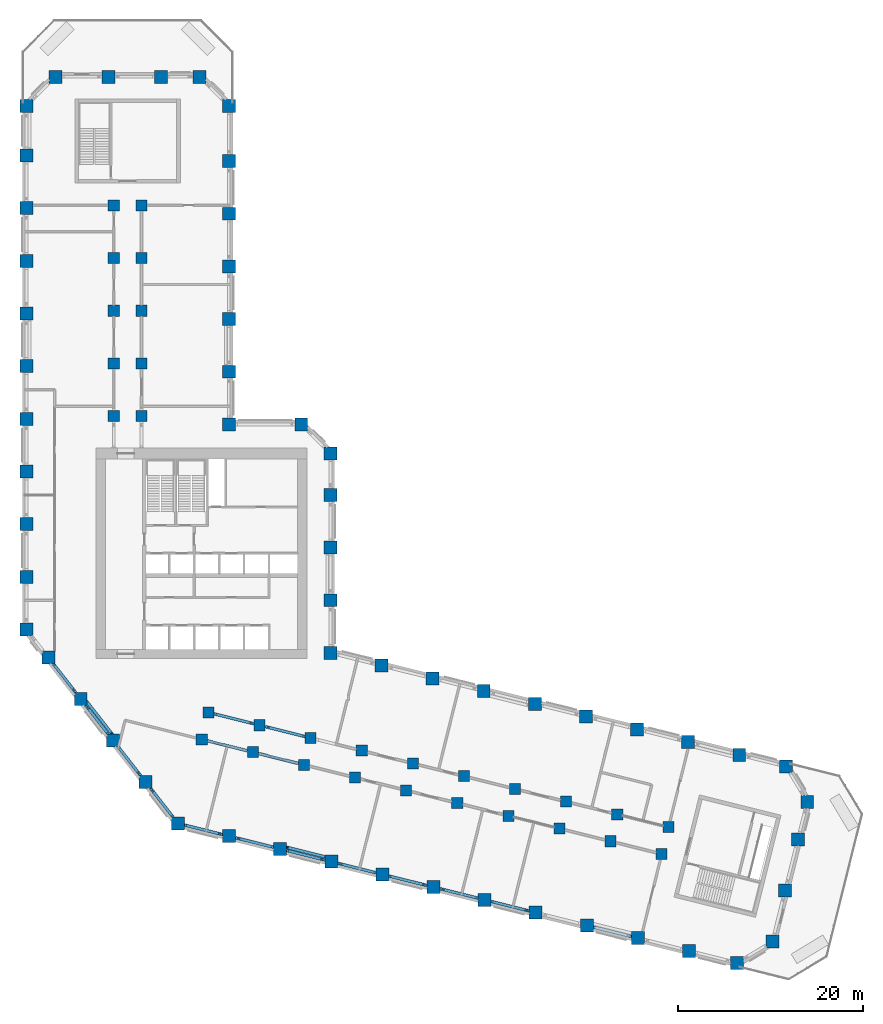
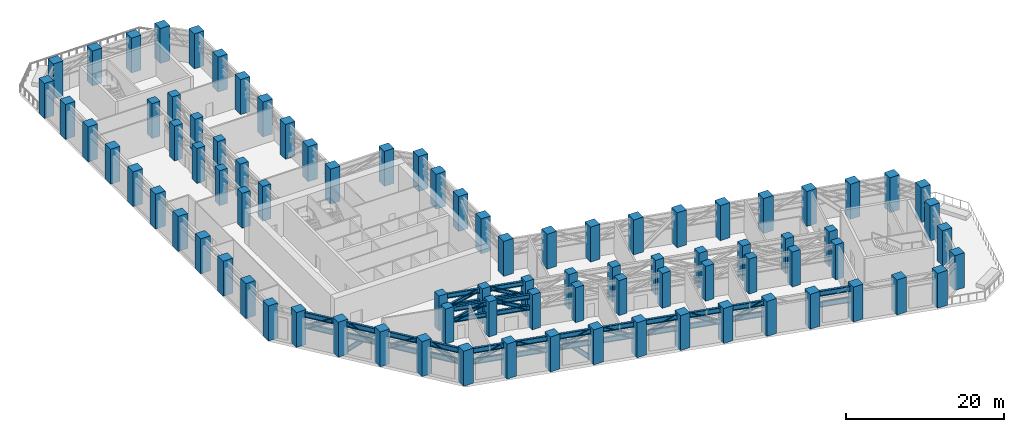
# One storey, part 1 of 14: 87 columns, 32 beams, 17 members.
"""IFC4 building model written with IfcOpenShell, lengths in metres."""

from ifc_helpers import new_model, si_unit, direction, frame, origin, origin_2d, place, context, subcontext, project, spatial, rectangle, i_section, extrude, material, material_profile, profile_set, type_object, element, save


model = new_model("IFC4")

# Units and contexts
model_context = context("Model", 3, precision=1e-05, world=origin(), true_north=direction((0.0, 1.0)))
body_context = subcontext(model_context, "Body", "Model", "MODEL_VIEW")
ifc_project = project(units=[si_unit("LENGTHUNIT", "METRE"), si_unit("AREAUNIT", "SQUARE_METRE"), si_unit("VOLUMEUNIT", "CUBIC_METRE"), si_unit("PLANEANGLEUNIT", "RADIAN"), si_unit("MASSUNIT", "GRAM", prefix="KILO")], contexts=[model_context])

# Site, building, storey
site_placement = place(None, origin())
site = spatial("IfcSite", under=ifc_project, at=site_placement, CompositionType="ELEMENT")
building_placement = place(site_placement, origin())
building = spatial("IfcBuilding", under=site, at=building_placement, Name="Meshkara Civic Tower", CompositionType="ELEMENT")
storey_placement = place(building_placement, frame((0.0, 0.0, 91.800048828125)))
storey = spatial("IfcBuildingStorey", under=building, at=storey_placement, Name="L20", CompositionType="ELEMENT", Elevation=91.800048828125)

# Columns
ifc_material_1 = material(Name="Concrete C80", Category="concrete")
ifc_material_profile_1 = material_profile(ifc_material_1, rectangle(XDim=1.199951171875, YDim=1.199951171875, at=origin_2d()))
ifc_profile_set_1 = profile_set([ifc_material_profile_1], Name="Concrete C80")
column_type_1 = type_object("IfcColumnType", Name="Interior column RC 1200x1200 C80", PredefinedType="COLUMN", material=ifc_profile_set_1)
for number, where, z_axis, x_axis, name in (
    (1, (9.89990234375, 40.35009765625, 0.0), (0.0, 0.0, 1.0), (1.0, 0.0, 0.0), "Column SA1-04 L20"),
    (2, (9.89990234375, 46.050048828125, 0.0), (0.0, 0.0, 1.0), (1.0, 0.0, 0.0), "Column SA1-05 L20"),
    (3, (9.89990234375, 51.75, 0.0), (0.0, 0.0, 1.0), (1.0, 0.0, 0.0), "Column SA1-06 L20"),
    (4, (9.89990234375, 57.449951171875, 0.0), (0.0, 0.0, 1.0), (1.0, 0.0, 0.0), "Column SA1-07 L20"),
    (5, (9.89990234375, 63.14990234375, 0.0), (0.0, 0.0, 1.0), (1.0, 0.0, 0.0), "Column SA1-08 L20"),
    (6, (12.89990234375, 40.35009765625, 0.0), (0.0, 0.0, 1.0), (1.0, 0.0, 0.0), "Column SA2-04 L20"),
    (7, (12.89990234375, 46.050048828125, 0.0), (0.0, 0.0, 1.0), (1.0, 0.0, 0.0), "Column SA2-05 L20"),
    (8, (12.89990234375, 51.75, 0.0), (0.0, 0.0, 1.0), (1.0, 0.0, 0.0), "Column SA2-06 L20"),
    (9, (12.89990234375, 57.449951171875, 0.0), (0.0, 0.0, 1.0), (1.0, 0.0, 0.0), "Column SA2-07 L20"),
    (10, (12.89990234375, 63.14990234375, 0.0), (0.0, 0.0, 1.0), (1.0, 0.0, 0.0), "Column SA2-08 L20"),
    (11, (19.424072265625, 5.360107421875, 0.0), (0.0, 0.0, 1.0), (1.0, 0.0, 0.0), "Column SB1-00 L20"),
    (12, (24.9541015625, 3.98095703125, 0.0), (0.0, 0.0, 1.0), (1.0, 0.0, 0.0), "Column SB1-01 L20"),
    (13, (30.485107421875, 2.60205078125, 0.0), (0.0, 0.0, 1.0), (1.0, 0.0, 0.0), "Column SB1-02 L20"),
    (14, (36.01611328125, 1.222900390625, 0.0), (0.0, 0.0, 1.0), (1.0, 0.0, 0.0), "Column SB1-03 L20"),
    (15, (41.5458984375, -0.156005859375, 0.0), (0.0, 0.0, 1.0), (1.0, 0.0, 0.0), "Column SB1-04 L20"),
    (16, (47.076904296875, -1.534912109375, 0.0), (0.0, 0.0, 1.0), (1.0, 0.0, 0.0), "Column SB1-05 L20"),
    (17, (52.60791015625, -2.9140625, 0.0), (0.0, 0.0, 1.0), (1.0, 0.0, 0.0), "Column SB1-06 L20"),
    (18, (58.138916015625, -4.2919921875, 0.0), (0.0, 0.0, 1.0), (1.0, 0.0, 0.0), "Column SB1-07 L20"),
    (19, (63.6689453125, -5.6708984375, 0.0), (0.0, 0.0, 1.0), (1.0, 0.0, 0.0), "Column SB1-08 L20"),
    (20, (69.199951171875, -7.050048828125, 0.0), (0.0, 0.0, 1.0), (1.0, 0.0, 0.0), "Column SB1-09 L20"),
    (21, (20.14892578125, 8.27099609375, 0.0), (0.0, 0.0, 1.0), (1.0, 0.0, 0.0), "Column SB2-00 L20"),
    (22, (25.679931640625, 6.89208984375, 0.0), (0.0, 0.0, 1.0), (1.0, 0.0, 0.0), "Column SB2-01 L20"),
    (23, (31.2109375, 5.512939453125, 0.0), (0.0, 0.0, 1.0), (1.0, 0.0, 0.0), "Column SB2-02 L20"),
    (24, (36.741943359375, 4.134033203125, 0.0), (0.0, 0.0, 1.0), (1.0, 0.0, 0.0), "Column SB2-03 L20"),
    (25, (42.27197265625, 2.7548828125, 0.0), (0.0, 0.0, 1.0), (1.0, 0.0, 0.0), "Column SB2-04 L20"),
    (26, (47.802978515625, 1.3759765625, 0.0), (0.0, 0.0, 1.0), (1.0, 0.0, 0.0), "Column SB2-05 L20"),
    (27, (53.333984375, -0.0029296875, 0.0), (0.0, 0.0, 1.0), (1.0, 0.0, 0.0), "Column SB2-06 L20"),
    (28, (58.864013671875, -1.382080078125, 0.0), (0.0, 0.0, 1.0), (1.0, 0.0, 0.0), "Column SB2-07 L20"),
    (29, (64.39501953125, -2.760986328125, 0.0), (0.0, 0.0, 1.0), (1.0, 0.0, 0.0), "Column SB2-08 L20"),
    (30, (69.926025390625, -4.139892578125, 0.0), (0.0, 0.0, 1.0), (1.0, 0.0, 0.0), "Column SB2-09 L20"),
):
    element("IfcColumn", number, at=place(storey_placement, frame(where, z_axis=z_axis, x_axis=x_axis)), inside=storey, type_object=column_type_1, Name=name, PredefinedType="COLUMN", context=body_context, shape_type="SweptSolid", body=[
        extrude(rectangle(XDim=1.199951171875, YDim=1.199951171875, at=origin_2d()), origin(), (0.0, 0.0, 1.0), 5.39990234375),
    ])
ifc_material_2 = material(Name="Concrete C80", Category="concrete")
ifc_material_profile_2 = material_profile(ifc_material_2, rectangle(XDim=1.39990234375, YDim=1.39990234375, at=origin_2d()))
ifc_profile_set_2 = profile_set([ifc_material_profile_2], Name="Concrete C80")
column_type_2 = type_object("IfcColumnType", Name="Perimeter column RC 1400x1400 C80", PredefinedType="COLUMN", material=ifc_profile_set_2)
for number, where, z_axis, x_axis, name in (
    (31, (33.35009765625, 14.718994140625, 0.0), (0.0, 0.0, 1.0), (1.0, 0.0, 0.0), "Column HE00 L20"),
    (32, (33.35009765625, 20.4189453125, 0.0), (0.0, 0.0, 1.0), (1.0, 0.0, 0.0), "Column HE01 L20"),
    (33, (33.35009765625, 26.118896484375, 0.0), (0.0, 0.0, 1.0), (1.0, 0.0, 0.0), "Column HE02 L20"),
    (34, (33.35009765625, 31.819091796875, 0.0), (0.0, 0.0, 1.0), (1.0, 0.0, 0.0), "Column HE03 L20"),
    (35, (33.35009765625, 36.2939453125, 0.0), (0.0, 0.0, 1.0), (1.0, 0.0, 0.0), "Column HEE L20"),
    (36, (30.194091796875, 39.449951171875, 0.0), (0.0, 0.0, 1.0), (1.0, 0.0, 0.0), "Column HCeE L20"),
    (37, (22.35009765625, 39.449951171875, 0.0), (0.0, 0.0, 1.0), (1.0, 0.0, 0.0), "Column HN00 L20"),
    (38, (22.35009765625, 45.14990234375, 0.0), (0.0, 0.0, 1.0), (1.0, 0.0, 0.0), "Column AE01 L20"),
    (39, (22.35009765625, 50.85009765625, 0.0), (0.0, 0.0, 1.0), (1.0, 0.0, 0.0), "Column AE02 L20"),
    (40, (22.35009765625, 56.550048828125, 0.0), (0.0, 0.0, 1.0), (1.0, 0.0, 0.0), "Column AE03 L20"),
    (41, (22.35009765625, 62.25, 0.0), (0.0, 0.0, 1.0), (1.0, 0.0, 0.0), "Column AE04 L20"),
    (42, (22.35009765625, 67.949951171875, 0.0), (0.0, 0.0, 1.0), (1.0, 0.0, 0.0), "Column AE05 L20"),
    (43, (22.35009765625, 73.9140625, 0.0), (0.0, 0.0, 1.0), (1.0, 0.0, 0.0), "Column AEEP1 L20"),
    (44, (19.194091796875, 77.070068359375, 0.0), (0.0, 0.0, 1.0), (1.0, 0.0, 0.0), "Column ATiEP1 L20"),
    (45, (3.60595703125, 77.070068359375, 0.0), (0.0, 0.0, 1.0), (1.0, 0.0, 0.0), "Column AT00-P1 L20"),
    (46, (9.305908203125, 77.070068359375, 0.0), (0.0, 0.0, 1.0), (1.0, 0.0, 0.0), "Column AT01-P1 L20"),
    (47, (15.006103515625, 77.070068359375, 0.0), (0.0, 0.0, 1.0), (1.0, 0.0, 0.0), "Column AT02-P1 L20"),
    (48, (0.449951171875, 73.9140625, 0.0), (0.0, 0.0, 1.0), (1.0, 0.0, 0.0), "Column ATo00-P1 L20"),
    (49, (0.449951171875, 17.2548828125, 0.0), (0.0, 0.0, 1.0), (1.0, 0.0, 0.0), "Column AW00 L20"),
    (50, (0.449951171875, 22.955078125, 0.0), (0.0, 0.0, 1.0), (1.0, 0.0, 0.0), "Column AW01 L20"),
    (51, (0.449951171875, 28.655029296875, 0.0), (0.0, 0.0, 1.0), (1.0, 0.0, 0.0), "Column AW02 L20"),
    (52, (0.449951171875, 34.35498046875, 0.0), (0.0, 0.0, 1.0), (1.0, 0.0, 0.0), "Column AW03 L20"),
    (53, (0.449951171875, 40.054931640625, 0.0), (0.0, 0.0, 1.0), (1.0, 0.0, 0.0), "Column AW04 L20"),
    (54, (0.449951171875, 45.7548828125, 0.0), (0.0, 0.0, 1.0), (1.0, 0.0, 0.0), "Column AW05 L20"),
    (55, (0.449951171875, 51.455078125, 0.0), (0.0, 0.0, 1.0), (1.0, 0.0, 0.0), "Column AW06 L20"),
    (56, (0.449951171875, 57.155029296875, 0.0), (0.0, 0.0, 1.0), (1.0, 0.0, 0.0), "Column AW07 L20"),
    (57, (0.449951171875, 62.85498046875, 0.0), (0.0, 0.0, 1.0), (1.0, 0.0, 0.0), "Column AW08 L20"),
    (58, (0.449951171875, 68.554931640625, 0.0), (0.0, 0.0, 1.0), (1.0, 0.0, 0.0), "Column AW09 L20"),
    (59, (16.85107421875, -3.738037109375, 0.0), (0.0, 0.0, 1.0), (1.0, 0.0, 0.0), "Column BOW00 L20"),
    (60, (13.342041015625, 0.75390625, 0.0), (0.0, 0.0, 1.0), (1.0, 0.0, 0.0), "Column BOW01 L20"),
    (61, (9.8330078125, 5.2451171875, 0.0), (0.0, 0.0, 1.0), (1.0, 0.0, 0.0), "Column BOW02 L20"),
    (62, (6.322998046875, 9.737060546875, 0.0), (0.0, 0.0, 1.0), (1.0, 0.0, 0.0), "Column BOW03 L20"),
    (63, (2.81396484375, 14.22900390625, 0.0), (0.0, 0.0, 1.0), (1.0, 0.0, 0.0), "Column BOW04 L20"),
    (64, (22.382080078125, -5.116943359375, 0.0), (0.0, 0.0, 1.0), (1.0, 0.0, 0.0), "Column BS01 L20"),
    (65, (27.912109375, -6.49609375, 0.0), (0.0, 0.0, 1.0), (1.0, 0.0, 0.0), "Column BS02 L20"),
    (66, (33.443115234375, -7.875, 0.0), (0.0, 0.0, 1.0), (1.0, 0.0, 0.0), "Column BS03 L20"),
    (67, (38.97412109375, -9.2529296875, 0.0), (0.0, 0.0, 1.0), (1.0, 0.0, 0.0), "Column BS04-P1 L20"),
    (68, (44.5048828125, -10.632080078125, 0.0), (0.0, 0.0, 1.0), (1.0, 0.0, 0.0), "Column BS05 L20"),
    (69, (50.034912109375, -12.010986328125, 0.0), (0.0, 0.0, 1.0), (1.0, 0.0, 0.0), "Column BS06 L20"),
    (70, (55.56591796875, -13.389892578125, 0.0), (0.0, 0.0, 1.0), (1.0, 0.0, 0.0), "Column BS07 L20"),
    (71, (61.096923828125, -14.76904296875, 0.0), (0.0, 0.0, 1.0), (1.0, 0.0, 0.0), "Column BS08 L20"),
    (72, (66.626953125, -16.14794921875, 0.0), (0.0, 0.0, 1.0), (1.0, 0.0, 0.0), "Column BS09 L20"),
    (73, (72.157958984375, -17.527099609375, 0.0), (0.0, 0.0, 1.0), (1.0, 0.0, 0.0), "Column BS10 L20"),
    (74, (77.35791015625, -18.822998046875, 0.0), (0.0, 0.0, 1.0), (1.0, 0.0, 0.0), "Column BSEP1 L20"),
    (75, (81.18310546875, -16.52392578125, 0.0), (0.0, 0.0, 1.0), (1.0, 0.0, 0.0), "Column BToEP1 L20"),
    (76, (82.56201171875, -10.992919921875, 0.0), (0.0, 0.0, 1.0), (1.0, 0.0, 0.0), "Column BT01-P1 L20"),
    (77, (83.94091796875, -5.462890625, 0.0), (0.0, 0.0, 1.0), (1.0, 0.0, 0.0), "Column BT02-P1 L20"),
    (78, (84.9541015625, -1.39990234375, 0.0), (0.0, 0.0, 1.0), (1.0, 0.0, 0.0), "Column BTEP1 L20"),
    (79, (82.655029296875, 2.425048828125, 0.0), (0.0, 0.0, 1.0), (1.0, 0.0, 0.0), "Column BTi00-P1 L20"),
    (80, (38.881103515625, 13.340087890625, 0.0), (0.0, 0.0, 1.0), (1.0, 0.0, 0.0), "Column BN01 L20"),
    (81, (44.410888671875, 11.9609375, 0.0), (0.0, 0.0, 1.0), (1.0, 0.0, 0.0), "Column BN02 L20"),
    (82, (49.94189453125, 10.58203125, 0.0), (0.0, 0.0, 1.0), (1.0, 0.0, 0.0), "Column BN03 L20"),
    (83, (55.472900390625, 9.202880859375, 0.0), (0.0, 0.0, 1.0), (1.0, 0.0, 0.0), "Column BN04 L20"),
    (84, (61.0029296875, 7.823974609375, 0.0), (0.0, 0.0, 1.0), (1.0, 0.0, 0.0), "Column BN05 L20"),
    (85, (66.533935546875, 6.445068359375, 0.0), (0.0, 0.0, 1.0), (1.0, 0.0, 0.0), "Column BN06 L20"),
    (86, (72.06494140625, 5.06591796875, 0.0), (0.0, 0.0, 1.0), (1.0, 0.0, 0.0), "Column BN07 L20"),
    (87, (77.594970703125, 3.68701171875, 0.0), (0.0, 0.0, 1.0), (1.0, 0.0, 0.0), "Column BN08 L20"),
):
    element("IfcColumn", number, at=place(storey_placement, frame(where, z_axis=z_axis, x_axis=x_axis)), inside=storey, type_object=column_type_2, Name=name, PredefinedType="COLUMN", context=body_context, shape_type="SweptSolid", body=[
        extrude(rectangle(XDim=1.39990234375, YDim=1.39990234375, at=origin_2d()), origin(), (0.0, 0.0, 1.0), 5.39990234375),
    ])

# Beams
ifc_material_3 = material(Name="Steel S355", Category="steel")
ifc_material_profile_3 = material_profile(ifc_material_3, i_section(OverallWidth=0.302978515625, OverallDepth=0.81396484375, WebThickness=0.02099609375, FlangeThickness=0.0400390625, FilletRadius=0.030029296875, at=origin_2d()))
ifc_profile_set_3 = profile_set([ifc_material_profile_3], Name="Steel S355")
beam_type_1 = type_object("IfcBeamType", Name="Belt truss chord HEM 800 S355", PredefinedType="BEAM", material=ifc_profile_set_3)
for number, where, z_axis, x_axis, name in (
    (88, (3.357666015625, 13.532958984375, 4.69287109375), (0.615623566685, -0.788040369614, 0.0), (0.788040369614, 0.615623566685, 0.0), "Belt truss chord BBOW04-BOW03"),
    (89, (3.357666015625, 13.532958984375, 2.992919921875), (0.615623566685, -0.788040369614, 0.0), (0.788040369614, 0.615623566685, 0.0), "Belt truss chord BBOW04-BOW03"),
):
    element("IfcBeam", number, at=place(storey_placement, frame(where, z_axis=z_axis, x_axis=x_axis)), inside=storey, type_object=beam_type_1, Name=name, PredefinedType="BEAM", context=body_context, shape_type="SweptSolid", body=[
        extrude(i_section(OverallWidth=0.302978515625, OverallDepth=0.81396484375, WebThickness=0.02099609375, FlangeThickness=0.0400390625, FilletRadius=0.030029296875, at=origin_2d()), origin(), (0.0, 0.0, 1.0), 3.93359375),
    ])
for number, where, z_axis, x_axis, name in (
    (90, (6.866943359375, 9.041015625, 4.69287109375), (0.61570064363, -0.787980150406, 0.0), (0.787980150406, 0.61570064363, 0.0), "Belt truss chord BBOW03-BOW02"),
    (91, (6.866943359375, 9.041015625, 2.992919921875), (0.61570064363, -0.787980150406, 0.0), (0.787980150406, 0.61570064363, 0.0), "Belt truss chord BBOW03-BOW02"),
):
    element("IfcBeam", number, at=place(storey_placement, frame(where, z_axis=z_axis, x_axis=x_axis)), inside=storey, type_object=beam_type_1, Name=name, PredefinedType="BEAM", context=body_context, shape_type="SweptSolid", body=[
        extrude(i_section(OverallWidth=0.302978515625, OverallDepth=0.81396484375, WebThickness=0.02099609375, FlangeThickness=0.0400390625, FilletRadius=0.030029296875, at=origin_2d()), origin(), (0.0, 0.0, 1.0), 3.933837890625),
    ])
for number, where, z_axis, x_axis, name in (
    (92, (10.376953125, 4.548828125, 4.69287109375), (0.615697051917, -0.787982956834, 0.0), (0.787982956834, 0.615697051917, 0.0), "Belt truss chord BBOW02-BOW01"),
    (93, (10.376953125, 4.548828125, 2.992919921875), (0.615697051917, -0.787982956834, 0.0), (0.787982956834, 0.615697051917, 0.0), "Belt truss chord BBOW02-BOW01"),
):
    element("IfcBeam", number, at=place(storey_placement, frame(where, z_axis=z_axis, x_axis=x_axis)), inside=storey, type_object=beam_type_1, Name=name, PredefinedType="BEAM", context=body_context, shape_type="SweptSolid", body=[
        extrude(i_section(OverallWidth=0.302978515625, OverallDepth=0.81396484375, WebThickness=0.02099609375, FlangeThickness=0.0400390625, FilletRadius=0.030029296875, at=origin_2d()), origin(), (0.0, 0.0, 1.0), 3.932373046875),
    ])
for number, where, z_axis, x_axis, name in (
    (94, (13.8857421875, 0.057861328125, 4.69287109375), (0.615623566685, -0.788040369614, 0.0), (0.788040369614, 0.615623566685, 0.0), "Belt truss chord BBOW01-BOW00"),
    (95, (13.8857421875, 0.057861328125, 2.992919921875), (0.615623566685, -0.788040369614, 0.0), (0.788040369614, 0.615623566685, 0.0), "Belt truss chord BBOW01-BOW00"),
):
    element("IfcBeam", number, at=place(storey_placement, frame(where, z_axis=z_axis, x_axis=x_axis)), inside=storey, type_object=beam_type_1, Name=name, PredefinedType="BEAM", context=body_context, shape_type="SweptSolid", body=[
        extrude(i_section(OverallWidth=0.302978515625, OverallDepth=0.81396484375, WebThickness=0.02099609375, FlangeThickness=0.0400390625, FilletRadius=0.030029296875, at=origin_2d()), origin(), (0.0, 0.0, 1.0), 3.93359375),
    ])
for number, where, z_axis, x_axis, name in (
    (96, (17.546142578125, -3.911376953125, 4.69287109375), (0.970307169965, -0.241875992843, 0.0), (0.241875992843, 0.970307169965, 0.0), "Belt truss chord BBOW00-BS01"),
    (97, (17.546142578125, -3.911376953125, 2.992919921875), (0.970307169965, -0.241875992843, 0.0), (0.241875992843, 0.970307169965, 0.0), "Belt truss chord BBOW00-BS01"),
):
    element("IfcBeam", number, at=place(storey_placement, frame(where, z_axis=z_axis, x_axis=x_axis)), inside=storey, type_object=beam_type_1, Name=name, PredefinedType="BEAM", context=body_context, shape_type="SweptSolid", body=[
        extrude(i_section(OverallWidth=0.302978515625, OverallDepth=0.81396484375, WebThickness=0.02099609375, FlangeThickness=0.0400390625, FilletRadius=0.030029296875, at=origin_2d()), origin(), (0.0, 0.0, 1.0), 4.267578125),
    ])
for number, where, z_axis, x_axis, name in (
    (98, (23.0771484375, -5.290283203125, 4.69287109375), (0.970276993533, -0.241997016139, 0.0), (0.241997016139, 0.970276993533, 0.0), "Belt truss chord BBS01-BS02"),
    (99, (23.0771484375, -5.290283203125, 2.992919921875), (0.970276993533, -0.241997016139, 0.0), (0.241997016139, 0.970276993533, 0.0), "Belt truss chord BBS01-BS02"),
):
    element("IfcBeam", number, at=place(storey_placement, frame(where, z_axis=z_axis, x_axis=x_axis)), inside=storey, type_object=beam_type_1, Name=name, PredefinedType="BEAM", context=body_context, shape_type="SweptSolid", body=[
        extrude(i_section(OverallWidth=0.302978515625, OverallDepth=0.81396484375, WebThickness=0.02099609375, FlangeThickness=0.0400390625, FilletRadius=0.030029296875, at=origin_2d()), origin(), (0.0, 0.0, 1.0), 4.266357421875),
    ])
for number, where, z_axis, x_axis, name in (
    (100, (28.607177734375, -6.669189453125, 4.69287109375), (0.970290393622, -0.241943282702, 0.0), (0.241943282702, 0.970290393622, 0.0), "Belt truss chord BBS02-BS03"),
    (101, (28.607177734375, -6.669189453125, 2.992919921875), (0.970290393622, -0.241943282702, 0.0), (0.241943282702, 0.970290393622, 0.0), "Belt truss chord BBS02-BS03"),
    (102, (34.13818359375, -8.048095703125, 4.69287109375), (0.970330673247, -0.241781687803, 0.0), (0.241781687803, 0.970330673247, 0.0), "Belt truss chord BBS03-BS04-P1"),
    (103, (34.13818359375, -8.048095703125, 2.992919921875), (0.970330673247, -0.241781687803, 0.0), (0.241781687803, 0.970330673247, 0.0), "Belt truss chord BBS03-BS04-P1"),
    (104, (39.669189453125, -9.42626953125, 4.69287109375), (0.970290393622, -0.241943282702, 0.0), (0.241943282702, 0.970290393622, 0.0), "Belt truss chord BBS04-P1-BS05"),
    (105, (39.669189453125, -9.42626953125, 2.992919921875), (0.970290393622, -0.241943282702, 0.0), (0.241943282702, 0.970290393622, 0.0), "Belt truss chord BBS04-P1-BS05"),
):
    element("IfcBeam", number, at=place(storey_placement, frame(where, z_axis=z_axis, x_axis=x_axis)), inside=storey, type_object=beam_type_1, Name=name, PredefinedType="BEAM", context=body_context, shape_type="SweptSolid", body=[
        extrude(i_section(OverallWidth=0.302978515625, OverallDepth=0.81396484375, WebThickness=0.02099609375, FlangeThickness=0.0400390625, FilletRadius=0.030029296875, at=origin_2d()), origin(), (0.0, 0.0, 1.0), 4.267333984375),
    ])
for number, where, z_axis, x_axis, name in (
    (106, (45.2001953125, -10.805419921875, 4.69287109375), (0.970290428474, -0.241943142934, 0.0), (0.241943142934, 0.970290428474, 0.0), "Belt truss chord BBS05-BS06"),
    (107, (45.2001953125, -10.805419921875, 2.992919921875), (0.970290428474, -0.241943142934, 0.0), (0.241943142934, 0.970290428474, 0.0), "Belt truss chord BBS05-BS06"),
):
    element("IfcBeam", number, at=place(storey_placement, frame(where, z_axis=z_axis, x_axis=x_axis)), inside=storey, type_object=beam_type_1, Name=name, PredefinedType="BEAM", context=body_context, shape_type="SweptSolid", body=[
        extrude(i_section(OverallWidth=0.302978515625, OverallDepth=0.81396484375, WebThickness=0.02099609375, FlangeThickness=0.0400390625, FilletRadius=0.030029296875, at=origin_2d()), origin(), (0.0, 0.0, 1.0), 4.266357421875),
    ])
for number, where, z_axis, x_axis, name in (
    (108, (50.72998046875, -12.184326171875, 4.69287109375), (0.97029374225, -0.241929852955, 0.0), (0.241929852955, 0.97029374225, 0.0), "Belt truss chord BBS06-BS07"),
    (109, (50.72998046875, -12.184326171875, 2.992919921875), (0.97029374225, -0.241929852955, 0.0), (0.241929852955, 0.97029374225, 0.0), "Belt truss chord BBS06-BS07"),
):
    element("IfcBeam", number, at=place(storey_placement, frame(where, z_axis=z_axis, x_axis=x_axis)), inside=storey, type_object=beam_type_1, Name=name, PredefinedType="BEAM", context=body_context, shape_type="SweptSolid", body=[
        extrude(i_section(OverallWidth=0.302978515625, OverallDepth=0.81396484375, WebThickness=0.02099609375, FlangeThickness=0.0400390625, FilletRadius=0.030029296875, at=origin_2d()), origin(), (0.0, 0.0, 1.0), 4.267578125),
    ])
for number, where, z_axis, x_axis, name in (
    (110, (61.7919921875, -14.9423828125, 4.69287109375), (0.970293777887, -0.241929710026, 0.0), (0.241929710026, 0.970293777887, 0.0), "Belt truss chord BBS08-BS09"),
    (111, (61.7919921875, -14.9423828125, 2.992919921875), (0.970293777887, -0.241929710026, 0.0), (0.241929710026, 0.970293777887, 0.0), "Belt truss chord BBS08-BS09"),
):
    element("IfcBeam", number, at=place(storey_placement, frame(where, z_axis=z_axis, x_axis=x_axis)), inside=storey, type_object=beam_type_1, Name=name, PredefinedType="BEAM", context=body_context, shape_type="SweptSolid", body=[
        extrude(i_section(OverallWidth=0.302978515625, OverallDepth=0.81396484375, WebThickness=0.02099609375, FlangeThickness=0.0400390625, FilletRadius=0.030029296875, at=origin_2d()), origin(), (0.0, 0.0, 1.0), 4.2666015625),
    ])
ifc_material_4 = material(Name="Steel S355", Category="steel")
ifc_material_profile_4 = material_profile(ifc_material_4, i_section(OverallWidth=0.303955078125, OverallDepth=0.716064453125, WebThickness=0.02099609375, FlangeThickness=0.0400390625, FilletRadius=0.027099609375, at=origin_2d()))
ifc_profile_set_4 = profile_set([ifc_material_profile_4], Name="Steel S355")
beam_type_2 = type_object("IfcBeamType", Name="Outrigger chord HEM 700 S355", PredefinedType="BEAM", material=ifc_profile_set_4)
for number, where, z_axis, x_axis, name in (
    (112, (20.01904296875, 5.211669921875, 4.741943359375), (0.970283611566, -0.241970479865, 0.0), (0.241970479865, 0.970283611566, 0.0), "Outrigger chord OSB1-SB1-00-SB1-01"),
    (113, (20.01904296875, 5.211669921875, 3.0419921875), (0.970283611566, -0.241970479865, 0.0), (0.241970479865, 0.970283611566, 0.0), "Outrigger chord OSB1-SB1-00-SB1-01"),
):
    element("IfcBeam", number, at=place(storey_placement, frame(where, z_axis=z_axis, x_axis=x_axis)), inside=storey, type_object=beam_type_2, Name=name, PredefinedType="BEAM", context=body_context, shape_type="SweptSolid", body=[
        extrude(i_section(OverallWidth=0.303955078125, OverallDepth=0.716064453125, WebThickness=0.02099609375, FlangeThickness=0.0400390625, FilletRadius=0.027099609375, at=origin_2d()), origin(), (0.0, 0.0, 1.0), 4.47265625),
    ])
for number, where, z_axis, x_axis, name in (
    (114, (25.549072265625, 3.83251953125, 4.741943359375), (0.970309199754, -0.241867850018, 0.0), (0.241867850018, 0.970309199754, 0.0), "Outrigger chord OSB1-SB1-01-SB1-02"),
    (115, (25.549072265625, 3.83251953125, 3.0419921875), (0.970309199754, -0.241867850018, 0.0), (0.241867850018, 0.970309199754, 0.0), "Outrigger chord OSB1-SB1-01-SB1-02"),
    (116, (20.744140625, 8.12255859375, 4.741943359375), (0.970296390995, -0.241919229543, 0.0), (0.241919229543, 0.970296390995, 0.0), "Outrigger chord OSB2-SB2-00-SB2-01"),
    (117, (20.744140625, 8.12255859375, 3.0419921875), (0.970296390995, -0.241919229543, 0.0), (0.241919229543, 0.970296390995, 0.0), "Outrigger chord OSB2-SB2-00-SB2-01"),
    (118, (26.275146484375, 6.74365234375, 4.741943359375), (0.970296390995, -0.241919229543, 0.0), (0.241919229543, 0.970296390995, 0.0), "Outrigger chord OSB2-SB2-01-SB2-02"),
    (119, (26.275146484375, 6.74365234375, 3.0419921875), (0.970296390995, -0.241919229543, 0.0), (0.241919229543, 0.970296390995, 0.0), "Outrigger chord OSB2-SB2-01-SB2-02"),
):
    element("IfcBeam", number, at=place(storey_placement, frame(where, z_axis=z_axis, x_axis=x_axis)), inside=storey, type_object=beam_type_2, Name=name, PredefinedType="BEAM", context=body_context, shape_type="SweptSolid", body=[
        extrude(i_section(OverallWidth=0.303955078125, OverallDepth=0.716064453125, WebThickness=0.02099609375, FlangeThickness=0.0400390625, FilletRadius=0.027099609375, at=origin_2d()), origin(), (0.0, 0.0, 1.0), 4.4736328125),
    ])

# Members
ifc_material_5 = material(Name="Steel S355", Category="steel")
ifc_material_profile_5 = material_profile(ifc_material_5, i_section(OverallWidth=0.305908203125, OverallDepth=0.52392578125, WebThickness=0.02392578125, FlangeThickness=0.0400390625, FilletRadius=0.027099609375, at=origin_2d()))
ifc_profile_set_5 = profile_set([ifc_material_profile_5], Name="Steel S355")
member_type_1 = type_object("IfcMemberType", Name="Truss diagonal HEM 500 S355", PredefinedType="BRACE", material=ifc_profile_set_5)
member_1_placement = place(storey_placement, frame((20.358642578125, 5.126953125, 3.0419921875), z_axis=(0.884630981745, -0.220597254952, 0.410810025736), x_axis=(0.241956983323, 0.97028697725, 0.0)))
element("IfcMember", 120, at=member_1_placement, inside=storey, type_object=member_type_1, Name="TD-OSB1-SB1-00-SB1-01-L20", PredefinedType="BRACE", context=body_context, shape_type="SweptSolid", body=[
    extrude(i_section(OverallWidth=0.305908203125, OverallDepth=0.52392578125, WebThickness=0.02392578125, FlangeThickness=0.0400390625, FilletRadius=0.027099609375, at=origin_2d()), origin(), (0.0, 0.0, 1.0), 4.137939453125),
])
for number, where, z_axis, x_axis, name in (
    (121, (25.888916015625, 3.747802734375, 4.741943359375), (0.884680965884, -0.220506598018, -0.410751054574), (0.24185050036, 0.970313524319, 0.0), "TD-OSB1-SB1-01-SB1-02-L20"),
    (122, (21.083740234375, 8.037841796875, 3.0419921875), (0.884669456815, -0.220562719146, 0.410745710996), (0.241911414998, 0.970298339323, 0.0), "TD-OSB2-SB2-00-SB2-01-L20"),
    (123, (26.61474609375, 6.658935546875, 4.741943359375), (0.884669456815, -0.220562719146, -0.410745710996), (0.241911414998, 0.970298339323, 0.0), "TD-OSB2-SB2-01-SB2-02-L20"),
):
    element("IfcMember", number, at=place(storey_placement, frame(where, z_axis=z_axis, x_axis=x_axis)), inside=storey, type_object=member_type_1, Name=name, PredefinedType="BRACE", context=body_context, shape_type="SweptSolid", body=[
        extrude(i_section(OverallWidth=0.305908203125, OverallDepth=0.52392578125, WebThickness=0.02392578125, FlangeThickness=0.0400390625, FilletRadius=0.027099609375, at=origin_2d()), origin(), (0.0, 0.0, 1.0), 4.138671875),
    ])
ifc_material_6 = material(Name="Steel S355", Category="steel")
ifc_material_profile_6 = material_profile(ifc_material_6, i_section(OverallWidth=0.304931640625, OverallDepth=0.6201171875, WebThickness=0.02099609375, FlangeThickness=0.0400390625, FilletRadius=0.027099609375, at=origin_2d()))
ifc_profile_set_6 = profile_set([ifc_material_profile_6], Name="Steel S355")
member_type_2 = type_object("IfcMemberType", Name="Truss diagonal HEM 600 S355", PredefinedType="BRACE", material=ifc_profile_set_6)
member_2_placement = place(storey_placement, frame((3.5732421875, 13.257080078125, 2.992919921875), z_axis=(0.544884205336, -0.697529308364, 0.465353700693), x_axis=(0.788057569638, 0.615601548842, 0.0)))
element("IfcMember", 124, at=member_2_placement, inside=storey, type_object=member_type_2, Name="TD-BBOW04-BOW03-L20", PredefinedType="BRACE", context=body_context, shape_type="SweptSolid", body=[
    extrude(i_section(OverallWidth=0.304931640625, OverallDepth=0.6201171875, WebThickness=0.02099609375, FlangeThickness=0.0400390625, FilletRadius=0.027099609375, at=origin_2d()), origin(), (0.0, 0.0, 1.0), 3.653076171875),
])
member_3_placement = place(storey_placement, frame((7.08251953125, 8.76513671875, 4.69287109375), z_axis=(0.544952773615, -0.697512820477, -0.465298119274), x_axis=(0.788012928072, 0.615658692127, 0.0)))
element("IfcMember", 125, at=member_3_placement, inside=storey, type_object=member_type_2, Name="TD-BBOW03-BOW02-L20", PredefinedType="BRACE", context=body_context, shape_type="SweptSolid", body=[
    extrude(i_section(OverallWidth=0.304931640625, OverallDepth=0.6201171875, WebThickness=0.02099609375, FlangeThickness=0.0400390625, FilletRadius=0.027099609375, at=origin_2d()), origin(), (0.0, 0.0, 1.0), 3.653564453125),
])
member_4_placement = place(storey_placement, frame((10.59228515625, 4.273193359375, 2.992919921875), z_axis=(0.544913420334, -0.69745174531, 0.465435739179), x_axis=(0.788008343684, 0.615664559873, 0.0)))
element("IfcMember", 126, at=member_4_placement, inside=storey, type_object=member_type_2, Name="TD-BBOW02-BOW01-L20", PredefinedType="BRACE", context=body_context, shape_type="SweptSolid", body=[
    extrude(i_section(OverallWidth=0.304931640625, OverallDepth=0.6201171875, WebThickness=0.02099609375, FlangeThickness=0.0400390625, FilletRadius=0.027099609375, at=origin_2d()), origin(), (0.0, 0.0, 1.0), 3.65234375),
])
member_5_placement = place(storey_placement, frame((14.101318359375, -0.218017578125, 4.69287109375), z_axis=(0.544884205336, -0.697529308364, -0.465353700693), x_axis=(0.788057569638, 0.615601548842, 0.0)))
element("IfcMember", 127, at=member_5_placement, inside=storey, type_object=member_type_2, Name="TD-BBOW01-BOW00-L20", PredefinedType="BRACE", context=body_context, shape_type="SweptSolid", body=[
    extrude(i_section(OverallWidth=0.304931640625, OverallDepth=0.6201171875, WebThickness=0.02099609375, FlangeThickness=0.0400390625, FilletRadius=0.027099609375, at=origin_2d()), origin(), (0.0, 0.0, 1.0), 3.653076171875),
])
member_6_placement = place(storey_placement, frame((17.8857421875, -3.99609375, 2.992919921875), z_axis=(0.875939475758, -0.218336162176, 0.430185256715), x_axis=(0.241859239454, 0.970311346059, 0.0)))
element("IfcMember", 128, at=member_6_placement, inside=storey, type_object=member_type_2, Name="TD-BBOW00-BS01-L20", PredefinedType="BRACE", context=body_context, shape_type="SweptSolid", body=[
    extrude(i_section(OverallWidth=0.304931640625, OverallDepth=0.6201171875, WebThickness=0.02099609375, FlangeThickness=0.0400390625, FilletRadius=0.027099609375, at=origin_2d()), origin(), (0.0, 0.0, 1.0), 3.95166015625),
])
member_7_placement = place(storey_placement, frame((23.416748046875, -5.375, 4.69287109375), z_axis=(0.875870121888, -0.218442280293, -0.430272587745), x_axis=(0.241987947475, 0.970279255306, 0.0)))
element("IfcMember", 129, at=member_7_placement, inside=storey, type_object=member_type_2, Name="TD-BBS01-BS02-L20", PredefinedType="BRACE", context=body_context, shape_type="SweptSolid", body=[
    extrude(i_section(OverallWidth=0.304931640625, OverallDepth=0.6201171875, WebThickness=0.02099609375, FlangeThickness=0.0400390625, FilletRadius=0.027099609375, at=origin_2d()), origin(), (0.0, 0.0, 1.0), 3.950927734375),
])
for number, where, z_axis, x_axis, name in (
    (130, (28.94677734375, -6.75390625, 2.992919921875), (0.875927658641, -0.218394997411, 0.430179453175), (0.241923672338, 0.970295283284, 0.0), "TD-BBS02-BS03-L20"),
    (131, (34.477783203125, -8.1328125, 4.69287109375), (0.875963101397, -0.218218484563, -0.430196859573), (0.241730364087, 0.970343460368, 0.0), "TD-BBS03-BS04-P1-L20"),
    (132, (40.0087890625, -9.510986328125, 2.992919921875), (0.875927658641, -0.218394997411, 0.430179453175), (0.241923672338, 0.970295283284, 0.0), "TD-BBS04-P1-BS05-L20"),
):
    element("IfcMember", number, at=place(storey_placement, frame(where, z_axis=z_axis, x_axis=x_axis)), inside=storey, type_object=member_type_2, Name=name, PredefinedType="BRACE", context=body_context, shape_type="SweptSolid", body=[
        extrude(i_section(OverallWidth=0.304931640625, OverallDepth=0.6201171875, WebThickness=0.02099609375, FlangeThickness=0.0400390625, FilletRadius=0.027099609375, at=origin_2d()), origin(), (0.0, 0.0, 1.0), 3.95166015625),
    ])
member_8_placement = place(storey_placement, frame((45.539794921875, -10.889892578125, 4.69287109375), z_axis=(0.875870121888, -0.218442280293, -0.430272587745), x_axis=(0.241987947475, 0.970279255306, 0.0)))
element("IfcMember", 133, at=member_8_placement, inside=storey, type_object=member_type_2, Name="TD-BBS05-BS06-L20", PredefinedType="BRACE", context=body_context, shape_type="SweptSolid", body=[
    extrude(i_section(OverallWidth=0.304931640625, OverallDepth=0.6201171875, WebThickness=0.02099609375, FlangeThickness=0.0400390625, FilletRadius=0.027099609375, at=origin_2d()), origin(), (0.0, 0.0, 1.0), 3.950927734375),
])
member_9_placement = place(storey_placement, frame((51.06982421875, -12.26904296875, 2.992919921875), z_axis=(0.875927658641, -0.218394997411, 0.430179453175), x_axis=(0.241923672338, 0.970295283284, 0.0)))
element("IfcMember", 134, at=member_9_placement, inside=storey, type_object=member_type_2, Name="TD-BBS06-BS07-L20", PredefinedType="BRACE", context=body_context, shape_type="SweptSolid", body=[
    extrude(i_section(OverallWidth=0.304931640625, OverallDepth=0.6201171875, WebThickness=0.02099609375, FlangeThickness=0.0400390625, FilletRadius=0.027099609375, at=origin_2d()), origin(), (0.0, 0.0, 1.0), 3.95166015625),
])
member_10_placement = place(storey_placement, frame((6.977783203125, 9.451171875, 0.349853515625), z_axis=(0.445341749282, -0.569938639785, 0.690536511146), x_axis=(0.787972598785, 0.615710308152, 0.0)))
element("IfcMember", 135, at=member_10_placement, inside=storey, type_object=member_type_2, Name="TD-XBOW03-BOW02-L20", PredefinedType="BRACE", context=body_context, shape_type="SweptSolid", body=[
    extrude(i_section(OverallWidth=0.304931640625, OverallDepth=0.6201171875, WebThickness=0.02099609375, FlangeThickness=0.0400390625, FilletRadius=0.027099609375, at=origin_2d()), origin(), (0.0, 0.0, 1.0), 6.22705078125),
])
member_11_placement = place(storey_placement, frame((28.568115234375, -6.30908203125, 4.64990234375), z_axis=(0.702060125245, -0.175064339593, -0.690263759402), x_axis=(0.241949338135, 0.970288883671, 0.0)))
element("IfcMember", 136, at=member_11_placement, inside=storey, type_object=member_type_2, Name="TD-XBS02-BS03-L20", PredefinedType="BRACE", context=body_context, shape_type="SweptSolid", body=[
    extrude(i_section(OverallWidth=0.304931640625, OverallDepth=0.6201171875, WebThickness=0.02099609375, FlangeThickness=0.0400390625, FilletRadius=0.027099609375, at=origin_2d()), origin(), (0.0, 0.0, 1.0), 6.2294921875),
])

save(model, "model.ifc")
